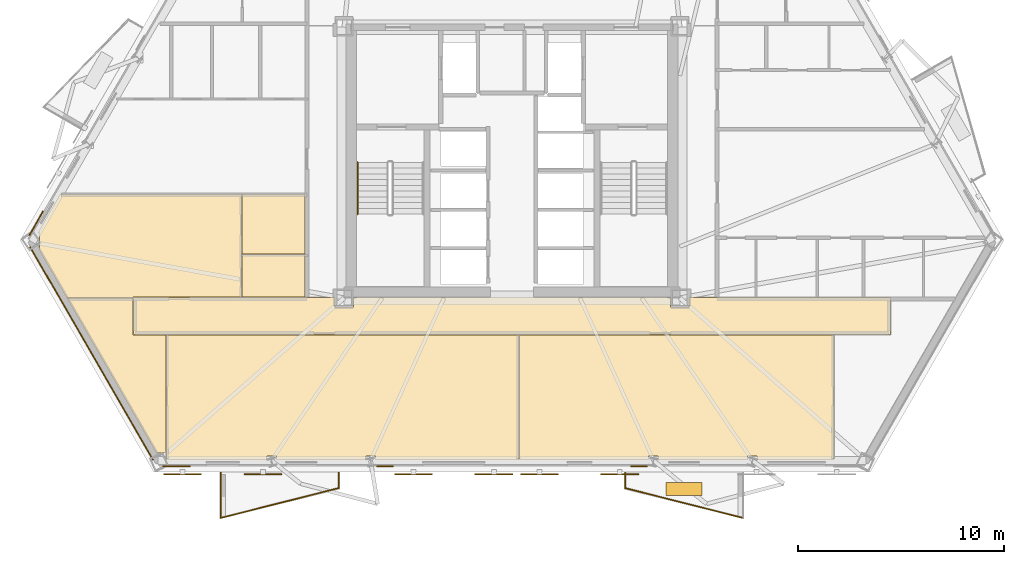
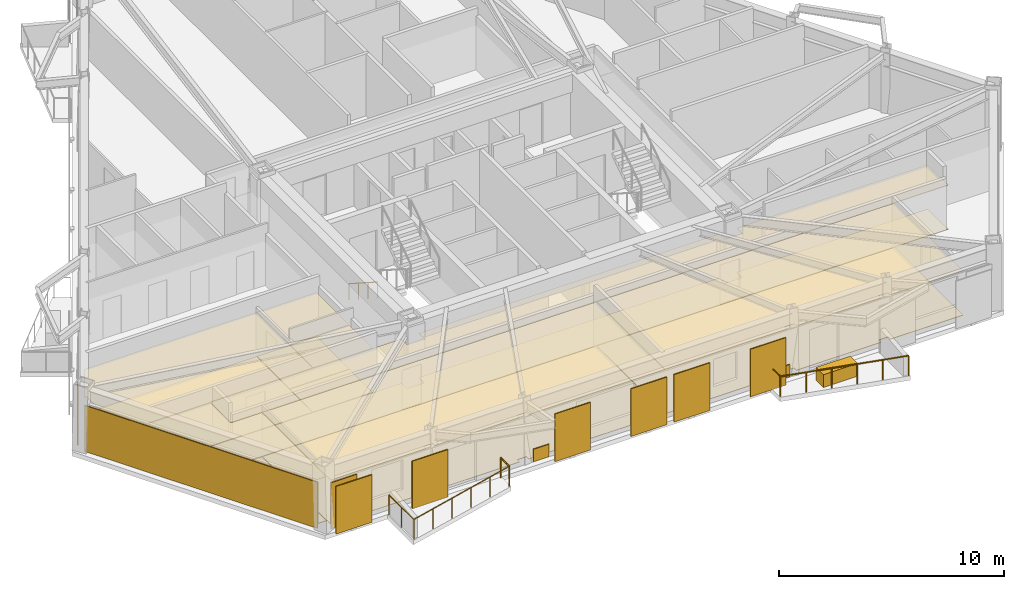
# One storey, part 8 of 11: 20 coverings, 6 railings, 6 shading devices.
"""IFC4 building model written with IfcOpenShell, lengths in metres."""

from ifc_helpers import new_model, si_unit, direction, frame, origin, origin_2d, place, context, subcontext, project, spatial, polyline, rectangle, circle, outline, extrude, material, layer, layer_set, type_object, element, save


model = new_model("IFC4")

# Units and contexts
model_context = context("Model", 3, precision=1e-05, world=origin(), true_north=direction((0.0, 1.0)))
body_context = subcontext(model_context, "Body", "Model", "MODEL_VIEW")
ifc_project = project(units=[si_unit("LENGTHUNIT", "METRE"), si_unit("AREAUNIT", "SQUARE_METRE"), si_unit("VOLUMEUNIT", "CUBIC_METRE"), si_unit("PLANEANGLEUNIT", "RADIAN"), si_unit("MASSUNIT", "GRAM", prefix="KILO")], contexts=[model_context])

# Site, building, storey
site_placement = place(None, origin())
site = spatial("IfcSite", under=ifc_project, at=site_placement, CompositionType="ELEMENT")
building_placement = place(site_placement, origin())
building = spatial("IfcBuilding", under=site, at=building_placement, Name="Oramaril Tower", CompositionType="ELEMENT")
storey_placement = place(building_placement, frame((0.0, 0.0, 89.699951171875)))
storey = spatial("IfcBuildingStorey", under=building, at=storey_placement, Name="L23", CompositionType="ELEMENT", Elevation=89.699951171875)

# Coverings
ifc_material_1 = material(Name="Mineral Fibre Acoustic Ceiling")
ifc_layer_1 = layer(ifc_material_1, 0.02001953125)
ifc_layer_set_1 = layer_set([ifc_layer_1], Name="CVT-CEIL")
covering_type_1 = type_object("IfcCoveringType", Name="CVT-CEIL", PredefinedType="CEILING", material=ifc_layer_set_1)
covering_1_placement = place(storey_placement, frame((0.0, 0.0, 2.400146484375)))
element("IfcCovering", 1, at=covering_1_placement, inside=storey, type_object=covering_type_1, Name="L23 Acoustic Suspended Ceiling 1", PredefinedType="CEILING", context=body_context, shape_type="SweptSolid", body=[
    extrude(outline(polyline([(28.905029296875, 10.554931640625), (29.794921875, 10.554931640625), (29.794921875, 11.030029296875), (45.205078125, 11.030029296875), (45.205078125, 10.554931640625), (46.094970703125, 10.554931640625), (46.094970703125, 11.030029296875), (55.8798828125, 11.030029296875), (55.8798828125, 9.219970703125), (19.1201171875, 9.219970703125), (19.1201171875, 11.030029296875), (28.905029296875, 11.030029296875), (28.905029296875, 10.554931640625)])), origin(), (0.0, 0.0, 1.0), 0.02001953125),
])
covering_2_placement = place(storey_placement, frame((0.0, 0.0, 2.400146484375)))
element("IfcCovering", 2, at=covering_2_placement, inside=storey, type_object=covering_type_1, Name="L23 Acoustic Suspended Ceiling 6", PredefinedType="CEILING", context=body_context, shape_type="SweptSolid", body=[
    extrude(outline(polyline([(30.8681640625, 3.3330078125), (30.40576171875, 3.3330078125), (30.40576171875, 3.128662109375), (26.069580078125, 3.128662109375), (26.069580078125, 3.3330078125), (25.595947265625, 3.3330078125), (25.595947265625, 3.128662109375), (20.732666015625, 3.128662109375), (20.732666015625, 3.47998046875), (20.72119140625, 3.47998046875), (20.72119140625, 9.199951171875), (37.842041015625, 9.199951171875), (37.842041015625, 3.128662109375), (30.8681640625, 3.128662109375), (30.8681640625, 3.3330078125)])), origin(), (0.0, 0.0, 1.0), 0.02001953125),
])
covering_3_placement = place(storey_placement, frame((0.0, 0.0, 2.400146484375)))
element("IfcCovering", 3, at=covering_3_placement, inside=storey, type_object=covering_type_1, Name="L23 Acoustic Suspended Ceiling 7", PredefinedType="CEILING", context=body_context, shape_type="SweptSolid", body=[
    extrude(outline(polyline([(20.22216796875, 3.47998046875), (15.885009765625, 10.991943359375), (19.10009765625, 10.991943359375), (19.10009765625, 9.219970703125), (19.10009765625, 9.218017578125), (19.100341796875, 9.216064453125), (19.100830078125, 9.214111328125), (19.1015625, 9.21240234375), (19.102294921875, 9.210693359375), (19.103515625, 9.208984375), (19.1044921875, 9.207275390625), (19.10595703125, 9.205810546875), (19.107421875, 9.20458984375), (19.10888671875, 9.203369140625), (19.110595703125, 9.202392578125), (19.1123046875, 9.201416015625), (19.1142578125, 9.200927734375), (19.1162109375, 9.200439453125), (19.117919921875, 9.2001953125), (19.1201171875, 9.199951171875), (20.701171875, 9.199951171875), (20.701171875, 3.47998046875), (20.22216796875, 3.47998046875)])), origin(), (0.0, 0.0, 1.0), 0.02001953125),
])
covering_4_placement = place(storey_placement, frame((0.0, 0.0, 2.400146484375)))
element("IfcCovering", 4, at=covering_4_placement, inside=storey, type_object=covering_type_1, Name="L23 Acoustic Suspended Ceiling 8", PredefinedType="CEILING", context=body_context, shape_type="SweptSolid", body=[
    extrude(outline(polyline([(49.404052734375, 3.128662109375), (49.404052734375, 3.3330078125), (48.930419921875, 3.3330078125), (48.930419921875, 3.128662109375), (44.59423828125, 3.128662109375), (44.59423828125, 3.3330078125), (44.1318359375, 3.3330078125), (44.1318359375, 3.128662109375), (37.862060546875, 3.128662109375), (37.862060546875, 9.199951171875), (53.13623046875, 9.199951171875), (53.13623046875, 3.128662109375), (49.404052734375, 3.128662109375)])), origin(), (0.0, 0.0, 1.0), 0.02001953125),
])
covering_5_placement = place(storey_placement, frame((0.0, 0.0, 2.400146484375)))
element("IfcCovering", 5, at=covering_5_placement, inside=storey, type_object=covering_type_1, Name="L23 Acoustic Suspended Ceiling 10", PredefinedType="CEILING", context=body_context, shape_type="SweptSolid", body=[
    extrude(outline(polyline([(24.3720703125, 11.050048828125), (19.1201171875, 11.050048828125), (19.117919921875, 11.0498046875), (19.1162109375, 11.049560546875), (19.1142578125, 11.049072265625), (19.1123046875, 11.048583984375), (19.110595703125, 11.047607421875), (19.10888671875, 11.046630859375), (19.107421875, 11.04541015625), (19.10595703125, 11.044189453125), (19.1044921875, 11.042724609375), (19.103515625, 11.041015625), (19.102294921875, 11.039306640625), (19.1015625, 11.03759765625), (19.100830078125, 11.035888671875), (19.100341796875, 11.033935546875), (19.10009765625, 11.031982421875), (19.10009765625, 11.030029296875), (19.10009765625, 11.011962890625), (15.885009765625, 11.011962890625), (15.883056640625, 11.011962890625), (15.881103515625, 11.01171875), (15.879150390625, 11.010986328125), (15.87744140625, 11.010498046875), (15.87548828125, 11.009521484375), (15.875, 11.00927734375), (14.524658203125, 13.348388671875), (14.567138671875, 13.348388671875), (14.567138671875, 14.168212890625), (14.478515625, 14.168212890625), (15.560302734375, 16.0419921875), (24.3720703125, 16.0419921875), (24.3720703125, 11.050048828125)])), origin(), (0.0, 0.0, 1.0), 0.02001953125),
])
covering_6_placement = place(storey_placement, frame((0.0, 0.0, 2.400146484375)))
element("IfcCovering", 6, at=covering_6_placement, inside=storey, type_object=covering_type_1, Name="L23 Acoustic Suspended Ceiling 11", PredefinedType="CEILING", context=body_context, shape_type="SweptSolid", body=[
    extrude(outline(polyline([(27.449951171875, 13.111572265625), (27.449951171875, 11.050048828125), (24.39208984375, 11.050048828125), (24.39208984375, 13.111572265625), (27.449951171875, 13.111572265625)])), origin(), (0.0, 0.0, 1.0), 0.02001953125),
])
covering_7_placement = place(storey_placement, frame((0.0, 0.0, 2.400146484375)))
element("IfcCovering", 7, at=covering_7_placement, inside=storey, type_object=covering_type_1, Name="L23 Acoustic Suspended Ceiling 12", PredefinedType="CEILING", context=body_context, shape_type="SweptSolid", body=[
    extrude(outline(polyline([(27.449951171875, 16.0419921875), (27.449951171875, 13.131591796875), (24.39208984375, 13.131591796875), (24.39208984375, 16.0419921875), (27.449951171875, 16.0419921875)])), origin(), (0.0, 0.0, 1.0), 0.02001953125),
])
ifc_material_2 = material(Name="Warm Cream Limestone", Category="masonry")
ifc_layer_2 = layer(ifc_material_2, 0.050048828125)
ifc_layer_set_2 = layer_set([ifc_layer_2], Name="CVT-CLD")
covering_type_2 = type_object("IfcCoveringType", Name="CVT-CLD", PredefinedType="CLADDING", material=ifc_layer_set_2)
covering_8_placement = place(storey_placement, frame((17.084228515625, 8.31298828125, 0.0400390625), z_axis=(0.0, 0.0, 1.0), x_axis=(0.5, -0.866025403784, 0.0)))
element("IfcCovering", 8, at=covering_8_placement, inside=storey, type_object=covering_type_2, Name="L23 Warm Cream Limestone Cladding", PredefinedType="CLADDING", context=body_context, shape_type="SweptSolid", body=[
    extrude(rectangle(XDim=11.945068359375, YDim=0.050048828125, at=origin_2d()), origin(), (0.0, 0.0, 1.0), 2.498046875),
])
covering_9_placement = place(storey_placement, frame((21.212646484375, 2.82763671875, 0.0400390625), z_axis=(0.0, 0.0, 1.0), x_axis=(1.0, 0.0, 0.0)))
element("IfcCovering", 9, at=covering_9_placement, inside=storey, type_object=covering_type_2, Name="L23 Warm Cream Limestone Cladding", PredefinedType="CLADDING", context=body_context, shape_type="SweptSolid", body=[
    extrude(rectangle(XDim=1.35009765625, YDim=0.050048828125, at=origin_2d()), origin(), (0.0, 0.0, 1.0), 2.498046875),
])
for number, where, z_axis, x_axis, name in (
    (10, (31.33056640625, 2.82763671875, 0.0400390625), (0.0, 0.0, 1.0), (1.0, 0.0, 0.0), "L23 Warm Cream Limestone Spandrel Cladding"),
    (11, (43.66943359375, 2.82763671875, 0.0400390625), (0.0, 0.0, 1.0), (1.0, 0.0, 0.0), "L23 Warm Cream Limestone Spandrel Cladding"),
):
    element("IfcCovering", number, at=place(storey_placement, frame(where, z_axis=z_axis, x_axis=x_axis)), inside=storey, type_object=covering_type_2, Name=name, PredefinedType="CLADDING", context=body_context, shape_type="SweptSolid", body=[
        extrude(rectangle(XDim=0.800048828125, YDim=0.050048828125, at=origin_2d()), origin(), (0.0, 0.0, 1.0), 0.679931640625),
    ])
covering_10_placement = place(storey_placement, frame((14.398193359375, 14.630859375, 0.0400390625), z_axis=(0.0, 0.0, 1.0), x_axis=(-0.5, -0.866025403784, 0.0)))
element("IfcCovering", 12, at=covering_10_placement, inside=storey, type_object=covering_type_2, Name="L23 Warm Cream Limestone Cladding", PredefinedType="CLADDING", context=body_context, shape_type="SweptSolid", body=[
    extrude(rectangle(XDim=1.35009765625, YDim=0.050048828125, at=origin_2d()), origin(), (0.0, 0.0, 1.0), 2.498046875),
])
covering_11_placement = place(storey_placement, frame((45.852783203125, 1.72412109375, 0.0), z_axis=(0.0, 0.0, 1.0), x_axis=(1.0, 0.0, 0.0)))
element("IfcCovering", 13, at=covering_11_placement, inside=storey, type_object=covering_type_2, Name="L23 Structural Tree Planter Box L23-BAL-S2", PredefinedType="CLADDING", context=body_context, shape_type="SweptSolid", body=[
    extrude(rectangle(XDim=1.75, YDim=0.64990234375, at=origin_2d()), origin(), (0.0, 0.0, 1.0), 0.699951171875),
])
ifc_material_3 = material(Name="Honed Quartzite Stone Flooring", Category="masonry")
ifc_layer_3 = layer(ifc_material_3, 0.02490234375)
ifc_layer_set_3 = layer_set([ifc_layer_3], Name="CVT-FLR")
covering_type_3 = type_object("IfcCoveringType", Name="CVT-FLR", PredefinedType="FLOORING", material=ifc_layer_set_3)
covering_12_placement = place(storey_placement, origin())
element("IfcCovering", 14, at=covering_12_placement, inside=storey, type_object=covering_type_3, Name="L23 Honed Stone Floor Finish 1", PredefinedType="FLOORING", context=body_context, shape_type="SweptSolid", body=[
    extrude(outline(polyline([(28.905029296875, 10.554931640625), (29.794921875, 10.554931640625), (29.794921875, 11.030029296875), (45.205078125, 11.030029296875), (45.205078125, 10.554931640625), (46.094970703125, 10.554931640625), (46.094970703125, 11.030029296875), (55.8798828125, 11.030029296875), (55.8798828125, 9.219970703125), (19.1201171875, 9.219970703125), (19.1201171875, 11.030029296875), (28.905029296875, 11.030029296875), (28.905029296875, 10.554931640625)])), origin(), (0.0, 0.0, 1.0), 0.025146484375),
])
covering_13_placement = place(storey_placement, origin())
element("IfcCovering", 15, at=covering_13_placement, inside=storey, type_object=covering_type_3, Name="L23 Honed Stone Floor Finish 6", PredefinedType="FLOORING", context=body_context, shape_type="SweptSolid", body=[
    extrude(outline(polyline([(30.8681640625, 3.3330078125), (30.40576171875, 3.3330078125), (30.40576171875, 3.128662109375), (26.069580078125, 3.128662109375), (26.069580078125, 3.3330078125), (25.595947265625, 3.3330078125), (25.595947265625, 3.128662109375), (20.732666015625, 3.128662109375), (20.732666015625, 3.47998046875), (20.72119140625, 3.47998046875), (20.72119140625, 9.199951171875), (37.842041015625, 9.199951171875), (37.842041015625, 3.128662109375), (30.8681640625, 3.128662109375), (30.8681640625, 3.3330078125)])), origin(), (0.0, 0.0, 1.0), 0.025146484375),
])
covering_14_placement = place(storey_placement, origin())
element("IfcCovering", 16, at=covering_14_placement, inside=storey, type_object=covering_type_3, Name="L23 Honed Stone Floor Finish 7", PredefinedType="FLOORING", context=body_context, shape_type="SweptSolid", body=[
    extrude(outline(polyline([(20.22216796875, 3.47998046875), (15.885009765625, 10.991943359375), (19.10009765625, 10.991943359375), (19.10009765625, 9.219970703125), (19.10009765625, 9.218017578125), (19.100341796875, 9.216064453125), (19.100830078125, 9.214111328125), (19.1015625, 9.21240234375), (19.102294921875, 9.210693359375), (19.103515625, 9.208984375), (19.1044921875, 9.207275390625), (19.10595703125, 9.205810546875), (19.107421875, 9.20458984375), (19.10888671875, 9.203369140625), (19.110595703125, 9.202392578125), (19.1123046875, 9.201416015625), (19.1142578125, 9.200927734375), (19.1162109375, 9.200439453125), (19.117919921875, 9.2001953125), (19.1201171875, 9.199951171875), (20.701171875, 9.199951171875), (20.701171875, 3.47998046875), (20.22216796875, 3.47998046875)])), origin(), (0.0, 0.0, 1.0), 0.025146484375),
])
covering_15_placement = place(storey_placement, origin())
element("IfcCovering", 17, at=covering_15_placement, inside=storey, type_object=covering_type_3, Name="L23 Honed Stone Floor Finish 8", PredefinedType="FLOORING", context=body_context, shape_type="SweptSolid", body=[
    extrude(outline(polyline([(49.404052734375, 3.128662109375), (49.404052734375, 3.3330078125), (48.930419921875, 3.3330078125), (48.930419921875, 3.128662109375), (44.59423828125, 3.128662109375), (44.59423828125, 3.3330078125), (44.1318359375, 3.3330078125), (44.1318359375, 3.128662109375), (37.862060546875, 3.128662109375), (37.862060546875, 9.199951171875), (53.13623046875, 9.199951171875), (53.13623046875, 3.128662109375), (49.404052734375, 3.128662109375)])), origin(), (0.0, 0.0, 1.0), 0.025146484375),
])
covering_16_placement = place(storey_placement, origin())
element("IfcCovering", 18, at=covering_16_placement, inside=storey, type_object=covering_type_3, Name="L23 Honed Stone Floor Finish 10", PredefinedType="FLOORING", context=body_context, shape_type="SweptSolid", body=[
    extrude(outline(polyline([(24.3720703125, 11.050048828125), (19.1201171875, 11.050048828125), (19.117919921875, 11.0498046875), (19.1162109375, 11.049560546875), (19.1142578125, 11.049072265625), (19.1123046875, 11.048583984375), (19.110595703125, 11.047607421875), (19.10888671875, 11.046630859375), (19.107421875, 11.04541015625), (19.10595703125, 11.044189453125), (19.1044921875, 11.042724609375), (19.103515625, 11.041015625), (19.102294921875, 11.039306640625), (19.1015625, 11.03759765625), (19.100830078125, 11.035888671875), (19.100341796875, 11.033935546875), (19.10009765625, 11.031982421875), (19.10009765625, 11.030029296875), (19.10009765625, 11.011962890625), (15.885009765625, 11.011962890625), (15.883056640625, 11.011962890625), (15.881103515625, 11.01171875), (15.879150390625, 11.010986328125), (15.87744140625, 11.010498046875), (15.87548828125, 11.009521484375), (15.875, 11.00927734375), (14.524658203125, 13.348388671875), (14.567138671875, 13.348388671875), (14.567138671875, 14.168212890625), (14.478515625, 14.168212890625), (15.560302734375, 16.0419921875), (24.3720703125, 16.0419921875), (24.3720703125, 11.050048828125)])), origin(), (0.0, 0.0, 1.0), 0.025146484375),
])
covering_17_placement = place(storey_placement, origin())
element("IfcCovering", 19, at=covering_17_placement, inside=storey, type_object=covering_type_3, Name="L23 Honed Stone Floor Finish 11", PredefinedType="FLOORING", context=body_context, shape_type="SweptSolid", body=[
    extrude(outline(polyline([(27.449951171875, 13.111572265625), (27.449951171875, 11.050048828125), (24.39208984375, 11.050048828125), (24.39208984375, 13.111572265625), (27.449951171875, 13.111572265625)])), origin(), (0.0, 0.0, 1.0), 0.025146484375),
])
covering_18_placement = place(storey_placement, origin())
element("IfcCovering", 20, at=covering_18_placement, inside=storey, type_object=covering_type_3, Name="L23 Honed Stone Floor Finish 12", PredefinedType="FLOORING", context=body_context, shape_type="SweptSolid", body=[
    extrude(outline(polyline([(27.449951171875, 16.0419921875), (27.449951171875, 13.131591796875), (24.39208984375, 13.131591796875), (24.39208984375, 16.0419921875), (27.449951171875, 16.0419921875)])), origin(), (0.0, 0.0, 1.0), 0.025146484375),
])

# Railings
ifc_material_4 = material(Name="Stainless Steel 316L", Category="steel")
railing_type_1 = type_object("IfcRailingType", Name="RLT-GRD", PredefinedType="GUARDRAIL", material=ifc_material_4)
railing_1_placement = place(storey_placement, frame((29.087158203125, 2.5126953125, 0.0)))
element("IfcRailing", 21, at=railing_1_placement, inside=storey, type_object=railing_type_1, Name="L23 Balcony Guardrail L23-BAL-S1.1", PredefinedType="GUARDRAIL", context=body_context, shape_type="SweptSolid", body=[
    extrude(circle(Radius=0.02392578125, at=origin_2d()), frame((0.0, 0.0, 1.076171875), z_axis=(0.0, -1.0, 0.0), x_axis=(1.0, 0.0, 0.0)), (0.0, 0.0, 1.0), 0.7421875),
    extrude(circle(Radius=0.02099609375, at=origin_2d()), origin(), (0.0, 0.0, 1.0), 1.052001953125),
    extrude(circle(Radius=0.02099609375, at=origin_2d()), frame((0.0, -0.7421875, 0.0)), (0.0, 0.0, 1.0), 1.052001953125),
])
railing_2_placement = place(storey_placement, frame((29.087158203125, 1.7705078125, 0.0)))
element("IfcRailing", 22, at=railing_2_placement, inside=storey, type_object=railing_type_1, Name="L23 Balcony Guardrail L23-BAL-S1.2", PredefinedType="GUARDRAIL", context=body_context, shape_type="SweptSolid", body=[
    extrude(circle(Radius=0.02392578125, at=origin_2d()), frame((0.0, 0.0, 1.076171875), z_axis=(-0.969443611257, -0.245314256807, 0.0), x_axis=(0.245314256807, -0.969443611257, 0.0)), (0.0, 0.0, 1.0), 5.91064453125),
    extrude(circle(Radius=0.02099609375, at=origin_2d()), origin(), (0.0, 0.0, 1.0), 1.052001953125),
    extrude(circle(Radius=0.02099609375, at=origin_2d()), frame((-1.14599609375, -0.2900390625, 0.0)), (0.0, 0.0, 1.0), 1.052001953125),
    extrude(circle(Radius=0.02099609375, at=origin_2d()), frame((-2.2919921875, -0.580078125, 0.0)), (0.0, 0.0, 1.0), 1.052001953125),
    extrude(circle(Radius=0.02099609375, at=origin_2d()), frame((-3.43798828125, -0.869873046875, 0.0)), (0.0, 0.0, 1.0), 1.052001953125),
    extrude(circle(Radius=0.02099609375, at=origin_2d()), frame((-4.583984375, -1.159912109375, 0.0)), (0.0, 0.0, 1.0), 1.052001953125),
    extrude(circle(Radius=0.02099609375, at=origin_2d()), frame((-5.72998046875, -1.449951171875, 0.0)), (0.0, 0.0, 1.0), 1.052001953125),
])
railing_3_placement = place(storey_placement, frame((23.357177734375, 0.320556640625, 0.0)))
element("IfcRailing", 23, at=railing_3_placement, inside=storey, type_object=railing_type_1, Name="L23 Balcony Guardrail L23-BAL-S1.3", PredefinedType="GUARDRAIL", context=body_context, shape_type="SweptSolid", body=[
    extrude(circle(Radius=0.02392578125, at=origin_2d()), frame((0.0, 0.0, 1.076171875), z_axis=(0.0, 1.0, 0.0), x_axis=(-1.0, 0.0, 0.0)), (0.0, 0.0, 1.0), 2.192138671875),
    extrude(circle(Radius=0.02099609375, at=origin_2d()), origin(), (0.0, 0.0, 1.0), 1.052001953125),
    extrude(circle(Radius=0.02099609375, at=origin_2d()), frame((0.0, 1.09619140625, 0.0)), (0.0, 0.0, 1.0), 1.052001953125),
    extrude(circle(Radius=0.02099609375, at=origin_2d()), frame((0.0, 2.192138671875, 0.0)), (0.0, 0.0, 1.0), 1.052001953125),
])
railing_4_placement = place(storey_placement, frame((48.718017578125, 0.320556640625, 0.0)))
element("IfcRailing", 24, at=railing_4_placement, inside=storey, type_object=railing_type_1, Name="L23 Balcony Guardrail L23-BAL-S2.2", PredefinedType="GUARDRAIL", context=body_context, shape_type="SweptSolid", body=[
    extrude(circle(Radius=0.02392578125, at=origin_2d()), frame((0.0, 0.0, 1.076171875), z_axis=(-0.969446096844, 0.245304433946, 0.0), x_axis=(-0.245304433946, -0.969446096844, 0.0)), (0.0, 0.0, 1.0), 5.910888671875),
    extrude(circle(Radius=0.02099609375, at=origin_2d()), origin(), (0.0, 0.0, 1.0), 1.052001953125),
    extrude(circle(Radius=0.02099609375, at=origin_2d()), frame((-1.14599609375, 0.2900390625, 0.0)), (0.0, 0.0, 1.0), 1.052001953125),
    extrude(circle(Radius=0.02099609375, at=origin_2d()), frame((-2.2919921875, 0.580078125, 0.0)), (0.0, 0.0, 1.0), 1.052001953125),
    extrude(circle(Radius=0.02099609375, at=origin_2d()), frame((-3.438232421875, 0.869873046875, 0.0)), (0.0, 0.0, 1.0), 1.052001953125),
    extrude(circle(Radius=0.02099609375, at=origin_2d()), frame((-4.584228515625, 1.159912109375, 0.0)), (0.0, 0.0, 1.0), 1.052001953125),
    extrude(circle(Radius=0.02099609375, at=origin_2d()), frame((-5.730224609375, 1.449951171875, 0.0)), (0.0, 0.0, 1.0), 1.052001953125),
])
railing_5_placement = place(storey_placement, frame((42.98779296875, 1.7705078125, 0.0)))
element("IfcRailing", 25, at=railing_5_placement, inside=storey, type_object=railing_type_1, Name="L23 Balcony Guardrail L23-BAL-S2.3", PredefinedType="GUARDRAIL", context=body_context, shape_type="SweptSolid", body=[
    extrude(circle(Radius=0.02392578125, at=origin_2d()), frame((0.0, 0.0, 1.076171875), z_axis=(0.0, 1.0, 0.0), x_axis=(-1.0, 0.0, 0.0)), (0.0, 0.0, 1.0), 0.7421875),
    extrude(circle(Radius=0.02099609375, at=origin_2d()), origin(), (0.0, 0.0, 1.0), 1.052001953125),
    extrude(circle(Radius=0.02099609375, at=origin_2d()), frame((0.0, 0.7421875, 0.0)), (0.0, 0.0, 1.0), 1.052001953125),
])
ifc_material_5 = material(Name="Stainless Steel 316L", Category="steel")
railing_type_2 = type_object("IfcRailingType", Name="RLT-HND", PredefinedType="HANDRAIL", material=ifc_material_5)
railing_6_placement = place(storey_placement, frame((30.0, 17.590087890625, 0.179931640625)))
element("IfcRailing", 26, at=railing_6_placement, inside=storey, type_object=railing_type_2, Name="L23 ST-1 stair handrail 1", PredefinedType="HANDRAIL", context=body_context, shape_type="SweptSolid", body=[
    extrude(circle(Radius=0.02392578125, at=origin_2d()), frame((0.0, 0.0, 0.8759765625), z_axis=(0.0, -0.841162588446, 0.540782303519), x_axis=(1.0, 0.0, 0.0)), (0.0, 0.0, 1.0), 2.995849609375),
    extrude(circle(Radius=0.02099609375, at=origin_2d()), origin(), (0.0, 0.0, 1.0), 0.851806640625),
    extrude(circle(Radius=0.02099609375, at=origin_2d()), frame((0.0, -0.840087890625, 0.5400390625)), (0.0, 0.0, 1.0), 0.851806640625),
    extrude(circle(Radius=0.02099609375, at=origin_2d()), frame((0.0, -1.679931640625, 1.080078125)), (0.0, 0.0, 1.0), 0.851806640625),
    extrude(circle(Radius=0.02099609375, at=origin_2d()), frame((0.0, -2.52001953125, 1.6201171875)), (0.0, 0.0, 1.0), 0.851806640625),
])

# Shading devices
for number, where, z_axis, x_axis, name in (
    (27, (21.505126953125, 2.440673828125, -0.02001953125), (0.0, 0.0, 1.0), (1.0, 0.0, 0.0), "L23 Perforated Ceramic Solar Screen"),
    (28, (25.405029296875, 2.440673828125, -0.02001953125), (0.0, 0.0, 1.0), (1.0, 0.0, 0.0), "L23 Perforated Ceramic Solar Screen"),
    (29, (32.71728515625, 2.440673828125, -0.02001953125), (0.0, 0.0, 1.0), (1.0, 0.0, 0.0), "L23 Perforated Ceramic Solar Screen"),
    (30, (36.6171875, 2.440673828125, -0.02001953125), (0.0, 0.0, 1.0), (1.0, 0.0, 0.0), "L23 Perforated Ceramic Solar Screen"),
    (31, (38.832763671875, 2.440673828125, -0.02001953125), (0.0, 0.0, 1.0), (1.0, 0.0, 0.0), "L23 Perforated Ceramic Solar Screen"),
    (32, (42.732666015625, 2.440673828125, -0.02001953125), (0.0, 0.0, 1.0), (1.0, 0.0, 0.0), "L23 Perforated Ceramic Solar Screen"),
):
    element("IfcShadingDevice", number, at=place(storey_placement, frame(where, z_axis=z_axis, x_axis=x_axis)), inside=storey, Name=name, ObjectType="SCREEN", PredefinedType="USERDEFINED", context=body_context, shape_type="SweptSolid", body=[
        extrude(rectangle(XDim=1.8330078125, YDim=0.050048828125, at=origin_2d()), origin(), (0.0, 0.0, 1.0), 2.577880859375),
    ])

save(model, "model.ifc")
